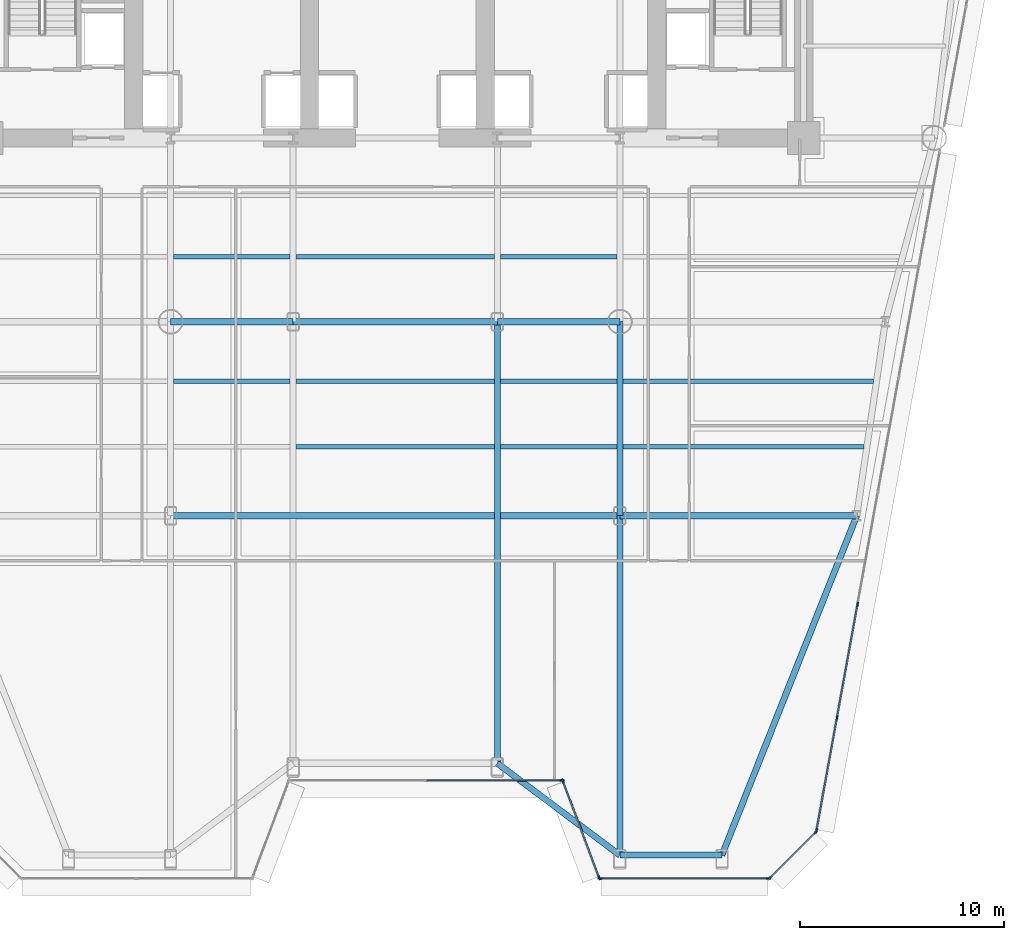
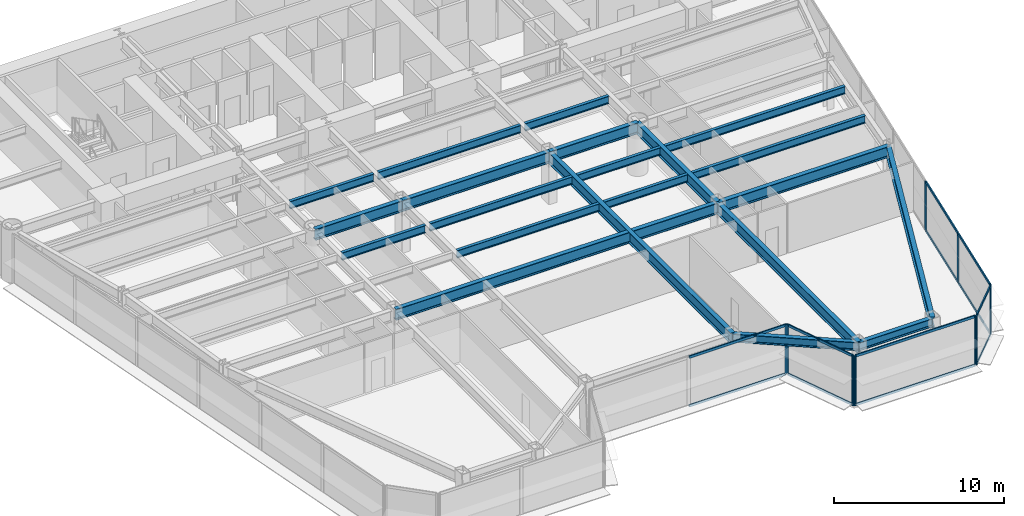
# One storey, part 3 of 14: 22 members, 21 beams, 5 elements without a shape of their own.
"""IFC4 building model written with IfcOpenShell, lengths in metres."""

from ifc_helpers import new_model, si_unit, direction, frame, origin, origin_2d, place, context, subcontext, project, spatial, rectangle, i_section, extrude, source, transform, mapped, material, layer, layer_set, material_profile, profile_set, type_object, element, aggregate, save


model = new_model("IFC4")

# Units and contexts
model_context = context("Model", 3, precision=1e-05, world=origin(), true_north=direction((0.0, 1.0)))
body_context = subcontext(model_context, "Body", "Model", "MODEL_VIEW")
ifc_project = project(units=[si_unit("LENGTHUNIT", "METRE"), si_unit("AREAUNIT", "SQUARE_METRE"), si_unit("VOLUMEUNIT", "CUBIC_METRE"), si_unit("PLANEANGLEUNIT", "RADIAN"), si_unit("MASSUNIT", "GRAM", prefix="KILO")], contexts=[model_context])

# Site, building, storey
site_placement = place(None, origin())
site = spatial("IfcSite", under=ifc_project, at=site_placement, CompositionType="ELEMENT")
building_placement = place(site_placement, origin())
building = spatial("IfcBuilding", under=site, at=building_placement, Name="Vaeldorn Concourse Tower", CompositionType="ELEMENT")
storey_placement = place(building_placement, frame((0.0, 0.0, 22.60009765625)))
storey = spatial("IfcBuildingStorey", under=building, at=storey_placement, Name="L05", CompositionType="ELEMENT", Elevation=22.60009765625)

# Beams
ifc_material_1 = material(Name="Steel S355", Category="steel")
ifc_material_profile_1 = material_profile(ifc_material_1, i_section(OverallWidth=0.300048828125, OverallDepth=0.800048828125, WebThickness=0.017578125, FlangeThickness=0.032958984375, FilletRadius=0.030029296875, at=origin_2d()), Name="HEB 800")
ifc_profile_set_1 = profile_set([ifc_material_profile_1], Name="Steel S355")
beam_type_1 = type_object("IfcBeamType", Name="BM-PG-HEB800", PredefinedType="BEAM", material=ifc_profile_set_1)
shared_shape_1 = source(origin(), body_context, "Body", "SweptSolid", [
    extrude(i_section(OverallWidth=0.300048828125, OverallDepth=0.800048828125, WebThickness=0.017578125, FlangeThickness=0.032958984375, FilletRadius=0.030029296875, at=origin_2d()), origin(), (0.0, 0.0, 1.0), 6.0),
])
for number, where, z_axis, x_axis, name in (
    (1, (23.0, 27.5, 3.179931640625), (1.0, 0.0, 0.0), (0.0, 1.0, 0.0), "Beam BM-L05-C-TW1-C-TW2"),
    (2, (39.0, 27.5, 3.179931640625), (1.0, 0.0, 0.0), (0.0, 1.0, 0.0), "Beam BM-L05-C-TW3-C-TW4"),
):
    element("IfcBeam", number, at=place(storey_placement, frame(where, z_axis=z_axis, x_axis=x_axis)), inside=storey, type_object=beam_type_1, Name=name, PredefinedType="BEAM", context=body_context, shape_type="MappedRepresentation", body=[
        mapped(shared_shape_1, transform((0.0, 0.0, 0.0), scale=1.0)),
    ])
shared_shape_2 = source(origin(), body_context, "Body", "SweptSolid", [
    extrude(i_section(OverallWidth=0.300048828125, OverallDepth=0.800048828125, WebThickness=0.017578125, FlangeThickness=0.032958984375, FilletRadius=0.030029296875, at=origin_2d()), origin(), (0.0, 0.0, 1.0), 10.0),
])
beam_1_placement = place(storey_placement, frame((29.0, 27.5, 3.179931640625), z_axis=(1.0, 0.0, 0.0), x_axis=(0.0, 1.0, 0.0)))
element("IfcBeam", 3, at=beam_1_placement, inside=storey, type_object=beam_type_1, Name="Beam BM-L05-C-TW2-C-TW3", PredefinedType="BEAM", context=body_context, shape_type="MappedRepresentation", body=[
    mapped(shared_shape_2, transform((0.0, 0.0, 0.0), scale=1.0)),
])
ifc_material_profile_2 = material_profile(ifc_material_1, i_section(OverallWidth=0.300048828125, OverallDepth=0.60009765625, WebThickness=0.015380859375, FlangeThickness=0.030029296875, FilletRadius=0.027099609375, at=origin_2d()), Name="HEB 600")
ifc_profile_set_2 = profile_set([ifc_material_profile_2], Name="Steel S355")
beam_type_2 = type_object("IfcBeamType", Name="BM-SP-HEB600", PredefinedType="SPANDREL", material=ifc_profile_set_2)
shared_shape_3 = source(origin(), body_context, "Body", "SweptSolid", [
    extrude(i_section(OverallWidth=0.300048828125, OverallDepth=0.60009765625, WebThickness=0.015380859375, FlangeThickness=0.030029296875, FilletRadius=0.027099609375, at=origin_2d()), origin(), (0.0, 0.0, 1.0), 5.0),
])
beam_2_placement = place(storey_placement, frame((45.0, 1.378173828125, 3.27978515625), z_axis=(1.0, 0.0, 0.0), x_axis=(0.0, 1.0, 0.0)))
element("IfcBeam", 4, at=beam_2_placement, inside=storey, type_object=beam_type_2, Name="Beam BM-L05-C-SF5-C-SF6", PredefinedType="SPANDREL", context=body_context, shape_type="MappedRepresentation", body=[
    mapped(shared_shape_3, transform((0.0, 0.0, 0.0), scale=1.0)),
])
shared_shape_4 = source(origin(), body_context, "Body", "SweptSolid", [
    extrude(i_section(OverallWidth=0.300048828125, OverallDepth=0.60009765625, WebThickness=0.015380859375, FlangeThickness=0.030029296875, FilletRadius=0.027099609375, at=origin_2d()), origin(), (0.0, 0.0, 1.0), 7.5),
])
beam_3_placement = place(storey_placement, frame((39.0, 5.878173828125, 3.27978515625), z_axis=(0.8, -0.6, 0.0), x_axis=(0.6, 0.8, 0.0)))
element("IfcBeam", 5, at=beam_3_placement, inside=storey, type_object=beam_type_2, Name="Beam BM-L05-C-SF4-C-SF5", PredefinedType="SPANDREL", context=body_context, shape_type="MappedRepresentation", body=[
    mapped(shared_shape_4, transform((0.0, 0.0, 0.0), scale=1.0)),
])
shared_shape_5 = source(origin(), body_context, "Body", "SweptSolid", [
    extrude(i_section(OverallWidth=0.300048828125, OverallDepth=0.800048828125, WebThickness=0.017578125, FlangeThickness=0.032958984375, FilletRadius=0.030029296875, at=origin_2d()), origin(), (0.0, 0.0, 1.0), 11.60009765625),
])
beam_4_placement = place(storey_placement, frame((45.0, 18.0, 3.179931640625), z_axis=(1.0, 0.0, 0.0), x_axis=(0.0, 1.0, 0.0)))
element("IfcBeam", 6, at=beam_4_placement, inside=storey, type_object=beam_type_1, Name="Beam BM-L05-C-TW6-C-FLE2", PredefinedType="BEAM", context=body_context, shape_type="MappedRepresentation", body=[
    mapped(shared_shape_5, transform((0.0, 0.0, 0.0), scale=1.0)),
])
shared_shape_6 = source(origin(), body_context, "Body", "SweptSolid", [
    extrude(i_section(OverallWidth=0.300048828125, OverallDepth=0.800048828125, WebThickness=0.017578125, FlangeThickness=0.032958984375, FilletRadius=0.030029296875, at=origin_2d()), origin(), (0.0, 0.0, 1.0), 22.0),
])
beam_5_placement = place(storey_placement, frame((23.0, 18.0, 3.179931640625), z_axis=(1.0, 0.0, 0.0), x_axis=(0.0, 1.0, 0.0)))
element("IfcBeam", 7, at=beam_5_placement, inside=storey, type_object=beam_type_1, Name="Beam BM-L05-C-TW5-C-TW6", PredefinedType="BEAM", context=body_context, shape_type="MappedRepresentation", body=[
    mapped(shared_shape_6, transform((0.0, 0.0, 0.0), scale=1.0)),
])
shared_shape_7 = source(origin(), body_context, "Body", "SweptSolid", [
    extrude(i_section(OverallWidth=0.300048828125, OverallDepth=0.800048828125, WebThickness=0.017578125, FlangeThickness=0.032958984375, FilletRadius=0.030029296875, at=origin_2d()), origin(), (0.0, 0.0, 1.0), 9.5),
])
beam_6_placement = place(storey_placement, frame((45.0, 18.0, 3.179931640625), z_axis=(0.0, 1.0, 0.0), x_axis=(-1.0, 0.0, 0.0)))
element("IfcBeam", 8, at=beam_6_placement, inside=storey, type_object=beam_type_1, Name="Beam BM-L05-C-TW6-C-TW4", PredefinedType="BEAM", context=body_context, shape_type="MappedRepresentation", body=[
    mapped(shared_shape_7, transform((0.0, 0.0, 0.0), scale=1.0)),
])
ifc_material_profile_3 = material_profile(ifc_material_1, i_section(OverallWidth=0.2099609375, OverallDepth=0.550048828125, WebThickness=0.010986328125, FlangeThickness=0.01708984375, FilletRadius=0.02392578125, at=origin_2d()), Name="IPE 550")
ifc_profile_set_3 = profile_set([ifc_material_profile_3], Name="Steel S355")
beam_type_3 = type_object("IfcBeamType", Name="BM-JS-IPE550", PredefinedType="JOIST", material=ifc_profile_set_3)
shared_shape_8 = source(origin(), body_context, "Body", "SweptSolid", [
    extrude(i_section(OverallWidth=0.2099609375, OverallDepth=0.550048828125, WebThickness=0.010986328125, FlangeThickness=0.01708984375, FilletRadius=0.02392578125, at=origin_2d()), origin(), (0.0, 0.0, 1.0), 5.7001953125),
])
for number, where, z_axis, x_axis, name in (
    (9, (39.14990234375, 21.3798828125, 3.304931640625), (1.0, 0.0, 0.0), (0.0, 1.0, 0.0), "Beam JS-L05-E2-213"),
    (10, (23.14990234375, 24.580078125, 3.304931640625), (1.0, 0.0, 0.0), (0.0, 1.0, 0.0), "Beam JS-L05-W2-245"),
    (11, (39.14990234375, 24.580078125, 3.304931640625), (1.0, 0.0, 0.0), (0.0, 1.0, 0.0), "Beam JS-L05-E2-245"),
    (12, (23.14990234375, 30.679931640625, 3.304931640625), (1.0, 0.0, 0.0), (0.0, 1.0, 0.0), "Beam JS-L05-W2-306"),
    (13, (39.14990234375, 30.679931640625, 3.304931640625), (1.0, 0.0, 0.0), (0.0, 1.0, 0.0), "Beam JS-L05-E2-306"),
):
    element("IfcBeam", number, at=place(storey_placement, frame(where, z_axis=z_axis, x_axis=x_axis)), inside=storey, type_object=beam_type_3, Name=name, PredefinedType="JOIST", context=body_context, shape_type="MappedRepresentation", body=[
        mapped(shared_shape_8, transform((0.0, 0.0, 0.0), scale=1.0)),
    ])
shared_shape_9 = source(origin(), body_context, "Body", "SweptSolid", [
    extrude(i_section(OverallWidth=0.2099609375, OverallDepth=0.550048828125, WebThickness=0.010986328125, FlangeThickness=0.01708984375, FilletRadius=0.02392578125, at=origin_2d()), origin(), (0.0, 0.0, 1.0), 9.7001953125),
])
for number, where, z_axis, x_axis, name in (
    (14, (29.14990234375, 21.3798828125, 3.304931640625), (1.0, 0.0, 0.0), (0.0, 1.0, 0.0), "Beam JS-L05-C-213"),
    (15, (29.14990234375, 24.580078125, 3.304931640625), (1.0, 0.0, 0.0), (0.0, 1.0, 0.0), "Beam JS-L05-C-245"),
    (16, (29.14990234375, 30.679931640625, 3.304931640625), (1.0, 0.0, 0.0), (0.0, 1.0, 0.0), "Beam JS-L05-C-306"),
):
    element("IfcBeam", number, at=place(storey_placement, frame(where, z_axis=z_axis, x_axis=x_axis)), inside=storey, type_object=beam_type_3, Name=name, PredefinedType="JOIST", context=body_context, shape_type="MappedRepresentation", body=[
        mapped(shared_shape_9, transform((0.0, 0.0, 0.0), scale=1.0)),
    ])
shared_shape_10 = source(origin(), body_context, "Body", "SweptSolid", [
    extrude(i_section(OverallWidth=0.300048828125, OverallDepth=0.800048828125, WebThickness=0.017578125, FlangeThickness=0.032958984375, FilletRadius=0.030029296875, at=origin_2d()), origin(), (0.0, 0.0, 1.0), 17.88427734375),
])
beam_7_placement = place(storey_placement, frame((50.0, 1.378173828125, 3.179931640625), z_axis=(0.369045260184, 0.92941142447, 0.0), x_axis=(-0.92941142447, 0.369045260184, 0.0)))
element("IfcBeam", 17, at=beam_7_placement, inside=storey, type_object=beam_type_1, Name="Beam BM-L05-C-SF6-C-FLE2", PredefinedType="BEAM", context=body_context, shape_type="MappedRepresentation", body=[
    mapped(shared_shape_10, transform((0.0, 0.0, 0.0), scale=1.0)),
])
shared_shape_11 = source(origin(), body_context, "Body", "SweptSolid", [
    extrude(i_section(OverallWidth=0.300048828125, OverallDepth=0.800048828125, WebThickness=0.017578125, FlangeThickness=0.032958984375, FilletRadius=0.030029296875, at=origin_2d()), origin(), (0.0, 0.0, 1.0), 16.621826171875),
])
beam_8_placement = place(storey_placement, frame((45.0, 1.378173828125, 3.179931640625), z_axis=(0.0, 1.0, 0.0), x_axis=(-1.0, 0.0, 0.0)))
element("IfcBeam", 18, at=beam_8_placement, inside=storey, type_object=beam_type_1, Name="Beam BM-L05-C-SF5-C-TW6", PredefinedType="BEAM", context=body_context, shape_type="MappedRepresentation", body=[
    mapped(shared_shape_11, transform((0.0, 0.0, 0.0), scale=1.0)),
])
shared_shape_12 = source(origin(), body_context, "Body", "SweptSolid", [
    extrude(i_section(OverallWidth=0.300048828125, OverallDepth=0.800048828125, WebThickness=0.017578125, FlangeThickness=0.032958984375, FilletRadius=0.030029296875, at=origin_2d()), origin(), (0.0, 0.0, 1.0), 21.621826171875),
])
beam_9_placement = place(storey_placement, frame((39.0, 5.878173828125, 3.179931640625), z_axis=(0.0, 1.0, 0.0), x_axis=(-1.0, 0.0, 0.0)))
element("IfcBeam", 19, at=beam_9_placement, inside=storey, type_object=beam_type_1, Name="Beam BM-L05-C-SF4-C-TW3", PredefinedType="BEAM", context=body_context, shape_type="MappedRepresentation", body=[
    mapped(shared_shape_12, transform((0.0, 0.0, 0.0), scale=1.0)),
])
shared_shape_13 = source(origin(), body_context, "Body", "SweptSolid", [
    extrude(i_section(OverallWidth=0.2099609375, OverallDepth=0.550048828125, WebThickness=0.010986328125, FlangeThickness=0.01708984375, FilletRadius=0.02392578125, at=origin_2d()), origin(), (0.0, 0.0, 1.0), 11.798095703125),
])
beam_10_placement = place(storey_placement, frame((45.14990234375, 21.3798828125, 3.304931640625), z_axis=(1.0, 0.0, 0.0), x_axis=(0.0, 1.0, 0.0)))
element("IfcBeam", 20, at=beam_10_placement, inside=storey, type_object=beam_type_3, Name="Beam JS-L05-E1-213", PredefinedType="JOIST", context=body_context, shape_type="MappedRepresentation", body=[
    mapped(shared_shape_13, transform((0.0, 0.0, 0.0), scale=1.0)),
])
shared_shape_14 = source(origin(), body_context, "Body", "SweptSolid", [
    extrude(i_section(OverallWidth=0.2099609375, OverallDepth=0.550048828125, WebThickness=0.010986328125, FlangeThickness=0.01708984375, FilletRadius=0.02392578125, at=origin_2d()), origin(), (0.0, 0.0, 1.0), 12.269775390625),
])
beam_11_placement = place(storey_placement, frame((45.14990234375, 24.580078125, 3.304931640625), z_axis=(1.0, 0.0, 0.0), x_axis=(0.0, 1.0, 0.0)))
element("IfcBeam", 21, at=beam_11_placement, inside=storey, type_object=beam_type_3, Name="Beam JS-L05-E1-245", PredefinedType="JOIST", context=body_context, shape_type="MappedRepresentation", body=[
    mapped(shared_shape_14, transform((0.0, 0.0, 0.0), scale=1.0)),
])

# Curtain wall, member
ifc_material_2 = material(Name="Anodised Bronze Aluminium", Category="aluminium")
ifc_layer = layer(ifc_material_2, 0.219970703125)
ifc_layer_set = layer_set([ifc_layer], Name="Anodised Bronze Aluminium")
curtain_wall_type = type_object("IfcCurtainWallType", Name="CW-SYS-01", PredefinedType="NOTDEFINED", material=ifc_layer_set)
curtain_wall_1_placement = place(storey_placement, origin())
curtain_wall_1 = element("IfcCurtainWall", 22, at=curtain_wall_1_placement, inside=storey, type_object=curtain_wall_type, Name="Unitised Curtain Wall CW-L05-E03-1", PredefinedType="NOTDEFINED")
ifc_material_profile_4 = material_profile(ifc_material_2, rectangle(XDim=0.074951171875, YDim=0.219970703125, at=origin_2d()), Name="CWM 75x220")
ifc_profile_set_4 = profile_set([ifc_material_profile_4], Name="Anodised Bronze Aluminium")
member_type_1 = type_object("IfcMemberType", Name="CWM-BRONZE-220", PredefinedType="MULLION", material=ifc_profile_set_4)
shared_shape_15 = source(origin(), body_context, "Body", "SweptSolid", [
    extrude(rectangle(XDim=0.074951171875, YDim=0.219970703125, at=origin_2d()), origin(), (0.0, 0.0, 1.0), 3.579833984375),
])
member_1_placement = place(storey_placement, frame((42.16259765625, 5.0390625, 0.0), z_axis=(0.0, 0.0, 1.0), x_axis=(0.0, 1.0, 0.0)))
member_1 = element("IfcMember", 23, at=member_1_placement, type_object=member_type_1, Name="CW-01 mullion 3", PredefinedType="MULLION", context=body_context, shape_type="MappedRepresentation", body=[
    mapped(shared_shape_15, transform((0.0, 0.0, 0.0), scale=1.0)),
])

# Curtain wall, members
curtain_wall_2_placement = place(storey_placement, origin())
curtain_wall_2 = element("IfcCurtainWall", 24, at=curtain_wall_2_placement, inside=storey, type_object=curtain_wall_type, Name="Unitised Curtain Wall CW-L05-E04-1", PredefinedType="NOTDEFINED")
member_2_placement = place(storey_placement, frame((42.213134765625, 5.00390625, 0.0), z_axis=(0.0, 0.0, 1.0), x_axis=(0.936329177566, 0.351123441595, 0.0)))
member_2 = element("IfcMember", 25, at=member_2_placement, type_object=member_type_1, Name="CW-01 mullion 1", PredefinedType="MULLION", context=body_context, shape_type="MappedRepresentation", body=[
    mapped(shared_shape_15, transform((0.0, 0.0, 0.0), scale=1.0)),
])
member_3_placement = place(storey_placement, frame((43.98681640625, 0.274169921875, 0.0), z_axis=(0.0, 0.0, 1.0), x_axis=(0.936329177566, 0.351123441595, 0.0)))
member_3 = element("IfcMember", 26, at=member_3_placement, type_object=member_type_1, Name="CW-01 mullion 2", PredefinedType="MULLION", context=body_context, shape_type="MappedRepresentation", body=[
    mapped(shared_shape_15, transform((0.0, 0.0, 0.0), scale=1.0)),
])

curtain_wall_3_placement = place(storey_placement, origin())
curtain_wall_3 = element("IfcCurtainWall", 27, at=curtain_wall_3_placement, inside=storey, type_object=curtain_wall_type, Name="Unitised Curtain Wall CW-L05-E05-1", PredefinedType="NOTDEFINED")
member_4_placement = place(storey_placement, frame((44.03759765625, 0.239013671875, 0.0), z_axis=(0.0, 0.0, 1.0), x_axis=(0.0, 1.0, 0.0)))
member_4 = element("IfcMember", 28, at=member_4_placement, type_object=member_type_1, Name="CW-01 mullion 1", PredefinedType="MULLION", context=body_context, shape_type="MappedRepresentation", body=[
    mapped(shared_shape_15, transform((0.0, 0.0, 0.0), scale=1.0)),
])
member_5_placement = place(storey_placement, frame((52.287109375, 0.239013671875, 0.0), z_axis=(0.0, 0.0, 1.0), x_axis=(0.0, 1.0, 0.0)))
member_5 = element("IfcMember", 29, at=member_5_placement, type_object=member_type_1, Name="CW-01 mullion 2", PredefinedType="MULLION", context=body_context, shape_type="MappedRepresentation", body=[
    mapped(shared_shape_15, transform((0.0, 0.0, 0.0), scale=1.0)),
])

curtain_wall_4_placement = place(storey_placement, origin())
curtain_wall_4 = element("IfcCurtainWall", 30, at=curtain_wall_4_placement, inside=storey, type_object=curtain_wall_type, Name="Unitised Curtain Wall CW-L05-E06-1", PredefinedType="NOTDEFINED")
member_6_placement = place(storey_placement, frame((52.35107421875, 0.265625, 0.0), z_axis=(0.0, 0.0, 1.0), x_axis=(-0.707106781187, 0.707106781187, 0.0)))
member_6 = element("IfcMember", 31, at=member_6_placement, type_object=member_type_1, Name="CW-01 mullion 1", PredefinedType="MULLION", context=body_context, shape_type="MappedRepresentation", body=[
    mapped(shared_shape_15, transform((0.0, 0.0, 0.0), scale=1.0)),
])
member_7_placement = place(storey_placement, frame((54.597900390625, 2.5126953125, 0.0), z_axis=(0.0, 0.0, 1.0), x_axis=(-0.707106781187, 0.707106781187, 0.0)))
member_7 = element("IfcMember", 32, at=member_7_placement, type_object=member_type_1, Name="CW-01 mullion 2", PredefinedType="MULLION", context=body_context, shape_type="MappedRepresentation", body=[
    mapped(shared_shape_15, transform((0.0, 0.0, 0.0), scale=1.0)),
])

curtain_wall_5_placement = place(storey_placement, origin())
curtain_wall_5 = element("IfcCurtainWall", 33, at=curtain_wall_5_placement, inside=storey, type_object=curtain_wall_type, Name="Unitised Curtain Wall CW-L05-E07-1", PredefinedType="NOTDEFINED")
member_8_placement = place(storey_placement, frame((54.631103515625, 2.575927734375, 0.0), z_axis=(0.0, 0.0, 1.0), x_axis=(-0.983935146293, 0.178526266665, 0.0)))
member_8 = element("IfcMember", 34, at=member_8_placement, type_object=member_type_1, Name="CW-01 mullion 1", PredefinedType="MULLION", context=body_context, shape_type="MappedRepresentation", body=[
    mapped(shared_shape_15, transform((0.0, 0.0, 0.0), scale=1.0)),
])
member_9_placement = place(storey_placement, frame((55.6328125, 8.095947265625, 0.0), z_axis=(0.0, 0.0, 1.0), x_axis=(-0.983935146293, 0.178526266665, 0.0)))
member_9 = element("IfcMember", 35, at=member_9_placement, type_object=member_type_1, Name="CW-01 mullion 2", PredefinedType="MULLION", context=body_context, shape_type="MappedRepresentation", body=[
    mapped(shared_shape_15, transform((0.0, 0.0, 0.0), scale=1.0)),
])
member_10_placement = place(storey_placement, frame((56.64111328125, 13.65283203125, 0.0), z_axis=(0.0, 0.0, 1.0), x_axis=(-0.983935146293, 0.178526266665, 0.0)))
member_10 = element("IfcMember", 36, at=member_10_placement, type_object=member_type_1, Name="CW-01 mullion 3", PredefinedType="MULLION", context=body_context, shape_type="MappedRepresentation", body=[
    mapped(shared_shape_15, transform((0.0, 0.0, 0.0), scale=1.0)),
])

# Member
ifc_material_profile_5 = material_profile(ifc_material_2, rectangle(XDim=0.074951171875, YDim=0.179931640625, at=origin_2d()), Name="CWT 75x180")
ifc_profile_set_5 = profile_set([ifc_material_profile_5], Name="Anodised Bronze Aluminium")
member_type_2 = type_object("IfcMemberType", Name="CWT-BRONZE-180", PredefinedType="USERDEFINED", material=ifc_profile_set_5)
shared_shape_16 = source(origin(), body_context, "Body", "SweptSolid", [
    extrude(rectangle(XDim=0.074951171875, YDim=0.179931640625, at=origin_2d()), origin(), (0.0, 0.0, 1.0), 6.58740234375),
])
member_11_placement = place(storey_placement, frame((35.53759765625, 5.0390625, 0.037353515625), z_axis=(1.0, 0.0, 0.0), x_axis=(0.0, 1.0, 0.0)))
member_11 = element("IfcMember", 37, at=member_11_placement, type_object=member_type_2, Name="CW-01 transom 2.1", ObjectType="TRANSOM", PredefinedType="USERDEFINED", context=body_context, shape_type="MappedRepresentation", body=[
    mapped(shared_shape_16, transform((0.0, 0.0, 0.0), scale=1.0)),
])

member_12_placement = place(storey_placement, frame((35.53759765625, 5.0390625, 3.54248046875), z_axis=(1.0, 0.0, 0.0), x_axis=(0.0, 1.0, 0.0)))
member_12 = element("IfcMember", 38, at=member_12_placement, type_object=member_type_2, Name="CW-01 transom 2.2", ObjectType="TRANSOM", PredefinedType="USERDEFINED", context=body_context, shape_type="MappedRepresentation", body=[
    mapped(shared_shape_16, transform((0.0, 0.0, 0.0), scale=1.0)),
])

aggregate(curtain_wall_1, [member_1, member_11, member_12])

shared_shape_17 = source(origin(), body_context, "Body", "SweptSolid", [
    extrude(rectangle(XDim=0.074951171875, YDim=0.179931640625, at=origin_2d()), origin(), (0.0, 0.0, 1.0), 3.102783203125),
])
member_13_placement = place(storey_placement, frame((52.37744140625, 0.292236328125, 0.037353515625), z_axis=(0.707146122816, 0.707067437368, 0.0), x_axis=(-0.707067437368, 0.707146122816, 0.0)))
member_13 = element("IfcMember", 39, at=member_13_placement, type_object=member_type_2, Name="CW-01 transom 1.1", ObjectType="TRANSOM", PredefinedType="USERDEFINED", context=body_context, shape_type="MappedRepresentation", body=[
    mapped(shared_shape_17, transform((0.0, 0.0, 0.0), scale=1.0)),
])

member_14_placement = place(storey_placement, frame((52.37744140625, 0.292236328125, 3.54248046875), z_axis=(0.707146122816, 0.707067437368, 0.0), x_axis=(-0.707067437368, 0.707146122816, 0.0)))
member_14 = element("IfcMember", 40, at=member_14_placement, type_object=member_type_2, Name="CW-01 transom 1.2", ObjectType="TRANSOM", PredefinedType="USERDEFINED", context=body_context, shape_type="MappedRepresentation", body=[
    mapped(shared_shape_17, transform((0.0, 0.0, 0.0), scale=1.0)),
])

aggregate(curtain_wall_4, [member_6, member_7, member_13, member_14])

shared_shape_18 = source(origin(), body_context, "Body", "SweptSolid", [
    extrude(rectangle(XDim=0.074951171875, YDim=0.179931640625, at=origin_2d()), origin(), (0.0, 0.0, 1.0), 4.9765625),
])
member_15_placement = place(storey_placement, frame((42.226318359375, 4.968994140625, 0.037353515625), z_axis=(0.351112688987, -0.936333209724, 0.0), x_axis=(0.936333209724, 0.351112688987, 0.0)))
member_15 = element("IfcMember", 41, at=member_15_placement, type_object=member_type_2, Name="CW-01 transom 1.1", ObjectType="TRANSOM", PredefinedType="USERDEFINED", context=body_context, shape_type="MappedRepresentation", body=[
    mapped(shared_shape_18, transform((0.0, 0.0, 0.0), scale=1.0)),
])

member_16_placement = place(storey_placement, frame((42.226318359375, 4.968994140625, 3.54248046875), z_axis=(0.351112688987, -0.936333209724, 0.0), x_axis=(0.936333209724, 0.351112688987, 0.0)))
member_16 = element("IfcMember", 42, at=member_16_placement, type_object=member_type_2, Name="CW-01 transom 1.2", ObjectType="TRANSOM", PredefinedType="USERDEFINED", context=body_context, shape_type="MappedRepresentation", body=[
    mapped(shared_shape_18, transform((0.0, 0.0, 0.0), scale=1.0)),
])

aggregate(curtain_wall_2, [member_2, member_3, member_15, member_16])

shared_shape_19 = source(origin(), body_context, "Body", "SweptSolid", [
    extrude(rectangle(XDim=0.074951171875, YDim=0.179931640625, at=origin_2d()), origin(), (0.0, 0.0, 1.0), 8.174560546875),
])
member_17_placement = place(storey_placement, frame((44.074951171875, 0.239013671875, 0.037353515625), z_axis=(1.0, 0.0, 0.0), x_axis=(0.0, 1.0, 0.0)))
member_17 = element("IfcMember", 43, at=member_17_placement, type_object=member_type_2, Name="CW-01 transom 1.1", ObjectType="TRANSOM", PredefinedType="USERDEFINED", context=body_context, shape_type="MappedRepresentation", body=[
    mapped(shared_shape_19, transform((0.0, 0.0, 0.0), scale=1.0)),
])

member_18_placement = place(storey_placement, frame((44.074951171875, 0.239013671875, 3.54248046875), z_axis=(1.0, 0.0, 0.0), x_axis=(0.0, 1.0, 0.0)))
member_18 = element("IfcMember", 44, at=member_18_placement, type_object=member_type_2, Name="CW-01 transom 1.2", ObjectType="TRANSOM", PredefinedType="USERDEFINED", context=body_context, shape_type="MappedRepresentation", body=[
    mapped(shared_shape_19, transform((0.0, 0.0, 0.0), scale=1.0)),
])

aggregate(curtain_wall_3, [member_4, member_5, member_17, member_18])

shared_shape_20 = source(origin(), body_context, "Body", "SweptSolid", [
    extrude(rectangle(XDim=0.074951171875, YDim=0.179931640625, at=origin_2d()), origin(), (0.0, 0.0, 1.0), 5.53515625),
])
member_19_placement = place(storey_placement, frame((54.637939453125, 2.61279296875, 0.037353515625), z_axis=(0.178501164082, 0.983939700602, 0.0), x_axis=(-0.983939700602, 0.178501164082, 0.0)))
member_19 = element("IfcMember", 45, at=member_19_placement, type_object=member_type_2, Name="CW-01 transom 1.1", ObjectType="TRANSOM", PredefinedType="USERDEFINED", context=body_context, shape_type="MappedRepresentation", body=[
    mapped(shared_shape_20, transform((0.0, 0.0, 0.0), scale=1.0)),
])

member_20_placement = place(storey_placement, frame((54.637939453125, 2.61279296875, 3.54248046875), z_axis=(0.178501164082, 0.983939700602, 0.0), x_axis=(-0.983939700602, 0.178501164082, 0.0)))
member_20 = element("IfcMember", 46, at=member_20_placement, type_object=member_type_2, Name="CW-01 transom 1.2", ObjectType="TRANSOM", PredefinedType="USERDEFINED", context=body_context, shape_type="MappedRepresentation", body=[
    mapped(shared_shape_20, transform((0.0, 0.0, 0.0), scale=1.0)),
])

shared_shape_21 = source(origin(), body_context, "Body", "SweptSolid", [
    extrude(rectangle(XDim=0.074951171875, YDim=0.179931640625, at=origin_2d()), origin(), (0.0, 0.0, 1.0), 5.57275390625),
])
member_21_placement = place(storey_placement, frame((55.639404296875, 8.1328125, 0.037353515625), z_axis=(0.178526883006, 0.983935034463, 0.0), x_axis=(-0.983935034463, 0.178526883006, 0.0)))
member_21 = element("IfcMember", 47, at=member_21_placement, type_object=member_type_2, Name="CW-01 transom 2.1", ObjectType="TRANSOM", PredefinedType="USERDEFINED", context=body_context, shape_type="MappedRepresentation", body=[
    mapped(shared_shape_21, transform((0.0, 0.0, 0.0), scale=1.0)),
])

member_22_placement = place(storey_placement, frame((55.639404296875, 8.1328125, 3.54248046875), z_axis=(0.178526883006, 0.983935034463, 0.0), x_axis=(-0.983935034463, 0.178526883006, 0.0)))
member_22 = element("IfcMember", 48, at=member_22_placement, type_object=member_type_2, Name="CW-01 transom 2.2", ObjectType="TRANSOM", PredefinedType="USERDEFINED", context=body_context, shape_type="MappedRepresentation", body=[
    mapped(shared_shape_21, transform((0.0, 0.0, 0.0), scale=1.0)),
])

aggregate(curtain_wall_5, [member_8, member_9, member_10, member_19, member_20, member_21, member_22])

save(model, "model.ifc")
